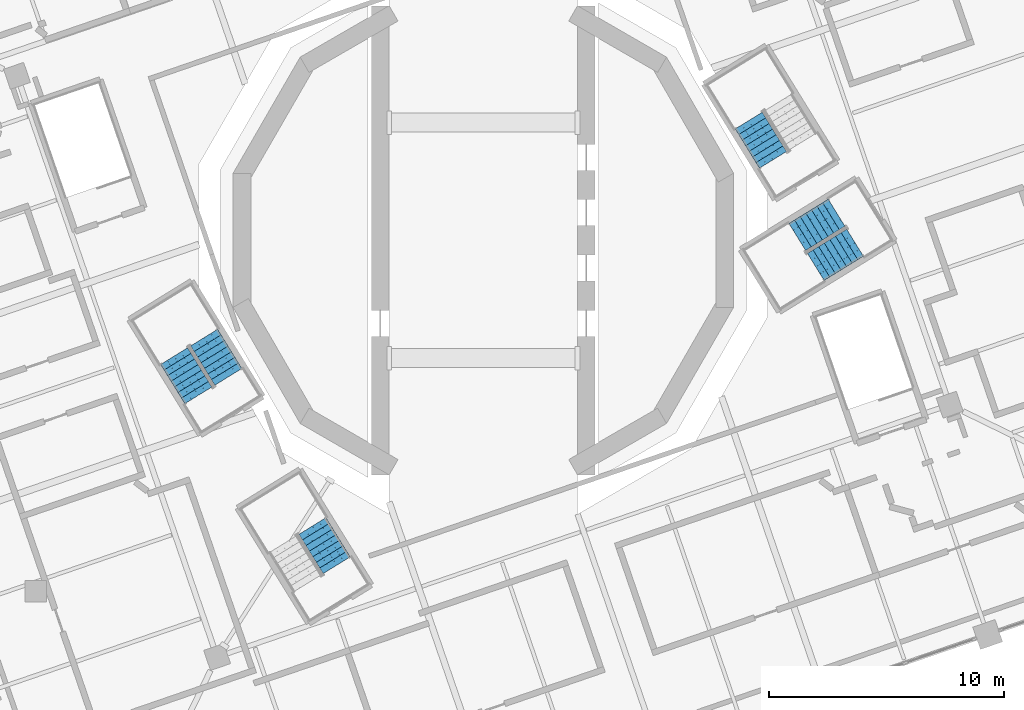
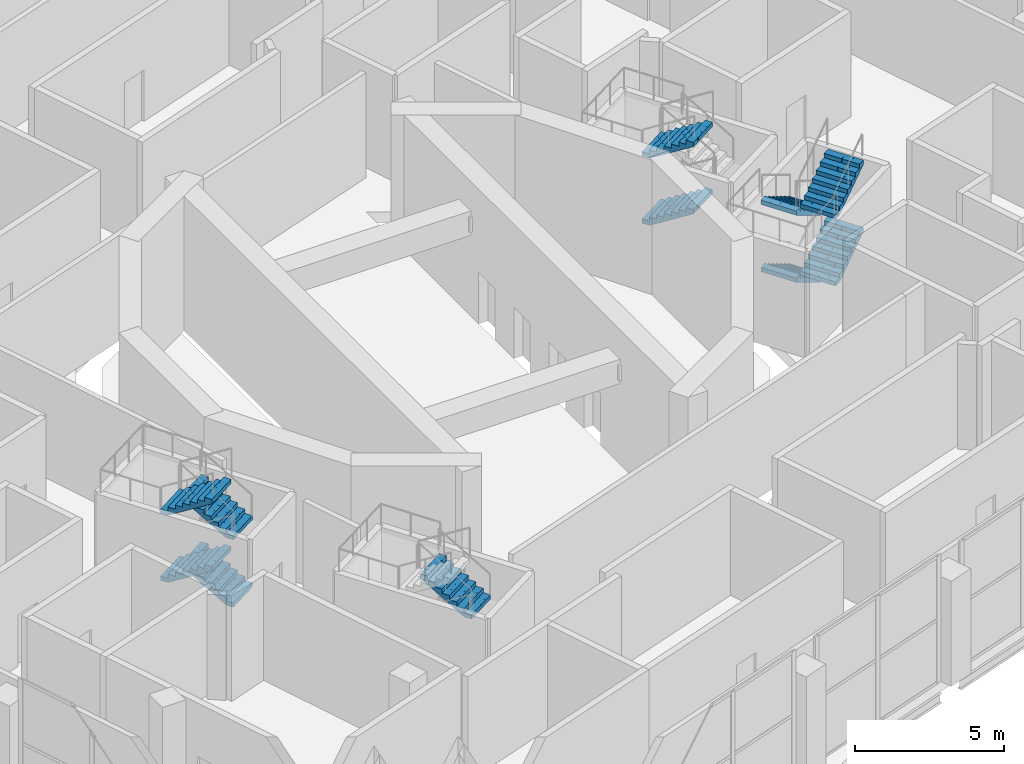
# One storey, part 15 of 20: 11 stair flights, 4 elements without a shape of their own.
"""IFC4 building model written with IfcOpenShell, lengths in metres."""

from ifc_helpers import new_model, si_unit, direction, frame, origin, place, context, subcontext, project, spatial, polyline, outline, extrude, material, type_object, element, aggregate, save


model = new_model("IFC4")

# Units and contexts
model_context = context("Model", 3, precision=1e-05, world=origin(), true_north=direction((0.0, 1.0)))
body_context = subcontext(model_context, "Body", "Model", "MODEL_VIEW")
ifc_project = project(units=[si_unit("LENGTHUNIT", "METRE"), si_unit("AREAUNIT", "SQUARE_METRE"), si_unit("VOLUMEUNIT", "CUBIC_METRE"), si_unit("PLANEANGLEUNIT", "RADIAN"), si_unit("MASSUNIT", "GRAM", prefix="KILO")], contexts=[model_context])

# Site, building, storey
site_placement = place(None, origin())
site = spatial("IfcSite", under=ifc_project, at=site_placement, CompositionType="ELEMENT")
building_placement = place(site_placement, origin())
building = spatial("IfcBuilding", under=site, at=building_placement, Name="Cantera Rosa Tower", CompositionType="ELEMENT")
storey_placement = place(building_placement, frame((0.0, 0.0, 142.10009765625)))
storey = spatial("IfcBuildingStorey", under=building, at=storey_placement, Name="L30", CompositionType="ELEMENT", Elevation=142.10009765625)

# Stair, stair flights
ifc_material_1 = material(Name="Concrete C35/45", Category="concrete")
stair_type = type_object("IfcStairType", Name="EXIT STAIR 1350 DOGLEG", PredefinedType="HALF_TURN_STAIR", material=ifc_material_1)
stair_1_placement = place(storey_placement, origin())
stair_1 = element("IfcStair", 1, at=stair_1_placement, inside=storey, type_object=stair_type, Name="L30 ST-31", PredefinedType="HALF_TURN_STAIR")
ifc_material_2 = material(Name="Concrete C35/45", Category="concrete")
stair_flight_type = type_object("IfcStairFlightType", Name="STAIR FLIGHT 1350 R32x172", PredefinedType="STRAIGHT", material=ifc_material_2)
stair_flight_1_placement = place(storey_placement, frame((11.267578125, 5.0830078125, 1.375), z_axis=(0.0, 0.0, 1.0), x_axis=(0.524976585286, -0.851116669383, 0.0)))
stair_flight_1 = element("IfcStairFlight", 2, at=stair_flight_1_placement, type_object=stair_flight_type, Name="ST-31 flight 2", NumberOfRisers=8, NumberOfTreads=7, PredefinedType="STRAIGHT", RiserHeight=0.171875, TreadLength=0.28, context=body_context, shape_type="SweptSolid", body=[
    extrude(outline(polyline([(0.0, 0.0), (0.0, 0.171875), (0.280029296875, 0.171875), (0.280029296875, 0.34375), (0.56005859375, 0.34375), (0.56005859375, 0.515625), (0.840087890625, 0.515625), (0.840087890625, 0.6875), (1.1201171875, 0.6875), (1.1201171875, 0.859375), (1.39990234375, 0.859375), (1.39990234375, 1.03125), (1.679931640625, 1.03125), (1.679931640625, 1.203125), (1.9599609375, 1.203125), (1.9599609375, 1.375), (1.9599609375, 1.02734375), (0.28662109375, 0.0), (0.0, 0.0)])), frame((0.0, 0.675048828125, 0.0), z_axis=(0.0, -1.0, 0.0), x_axis=(1.0, 0.0, 0.0)), (0.0, 0.0, 1.0), 0.3359375),
    extrude(outline(polyline([(0.0, 0.0), (0.0, 0.171875), (0.280029296875, 0.171875), (0.280029296875, 0.34375), (0.56005859375, 0.34375), (0.56005859375, 0.515625), (0.840087890625, 0.515625), (0.840087890625, 0.6875), (1.1201171875, 0.6875), (1.1201171875, 0.859375), (1.39990234375, 0.859375), (1.39990234375, 1.03125), (1.679931640625, 1.03125), (1.679931640625, 1.203125), (1.9599609375, 1.203125), (1.9599609375, 1.375), (1.9599609375, 1.02734375), (0.28662109375, 0.0), (0.0, 0.0)])), frame((0.0, 0.337158203125, 0.0), z_axis=(0.0, -1.0, 0.0), x_axis=(1.0, 0.0, 0.0)), (0.0, 0.0, 1.0), 0.3359375),
    extrude(outline(polyline([(0.0, 0.0), (0.0, 0.171875), (0.280029296875, 0.171875), (0.280029296875, 0.34375), (0.56005859375, 0.34375), (0.56005859375, 0.515625), (0.840087890625, 0.515625), (0.840087890625, 0.6875), (1.1201171875, 0.6875), (1.1201171875, 0.859375), (1.39990234375, 0.859375), (1.39990234375, 1.03125), (1.679931640625, 1.03125), (1.679931640625, 1.203125), (1.9599609375, 1.203125), (1.9599609375, 1.375), (1.9599609375, 1.02734375), (0.28662109375, 0.0), (0.0, 0.0)])), frame((0.0, -0.000732421875, 0.0), z_axis=(0.0, -1.0, 0.0), x_axis=(1.0, 0.0, 0.0)), (0.0, 0.0, 1.0), 0.3359375),
    extrude(outline(polyline([(0.0, 0.0), (0.0, 0.171875), (0.280029296875, 0.171875), (0.280029296875, 0.34375), (0.56005859375, 0.34375), (0.56005859375, 0.515625), (0.840087890625, 0.515625), (0.840087890625, 0.6875), (1.1201171875, 0.6875), (1.1201171875, 0.859375), (1.39990234375, 0.859375), (1.39990234375, 1.03125), (1.679931640625, 1.03125), (1.679931640625, 1.203125), (1.9599609375, 1.203125), (1.9599609375, 1.375), (1.9599609375, 1.02734375), (0.28662109375, 0.0), (0.0, 0.0)])), frame((0.0, -0.338623046875, 0.0), z_axis=(0.0, -1.0, 0.0), x_axis=(1.0, 0.0, 0.0)), (0.0, 0.0, 1.0), 0.3359375),
])
stair_flight_2_placement = place(storey_placement, frame((11.267578125, 5.0830078125, 4.125), z_axis=(0.0, 0.0, 1.0), x_axis=(0.524976585286, -0.851116669383, 0.0)))
stair_flight_2 = element("IfcStairFlight", 3, at=stair_flight_2_placement, type_object=stair_flight_type, Name="ST-31 flight 4", NumberOfRisers=8, NumberOfTreads=7, PredefinedType="STRAIGHT", RiserHeight=0.171875, TreadLength=0.28, context=body_context, shape_type="SweptSolid", body=[
    extrude(outline(polyline([(0.0, 0.0), (0.0, 0.171875), (0.280029296875, 0.171875), (0.280029296875, 0.34375), (0.56005859375, 0.34375), (0.56005859375, 0.515625), (0.840087890625, 0.515625), (0.840087890625, 0.6875), (1.1201171875, 0.6875), (1.1201171875, 0.859375), (1.39990234375, 0.859375), (1.39990234375, 1.03125), (1.679931640625, 1.03125), (1.679931640625, 1.203125), (1.9599609375, 1.203125), (1.9599609375, 1.375), (1.9599609375, 1.02734375), (0.28662109375, 0.0), (0.0, 0.0)])), frame((0.0, 0.675048828125, 0.0), z_axis=(0.0, -1.0, 0.0), x_axis=(1.0, 0.0, 0.0)), (0.0, 0.0, 1.0), 0.3359375),
    extrude(outline(polyline([(0.0, 0.0), (0.0, 0.171875), (0.280029296875, 0.171875), (0.280029296875, 0.34375), (0.56005859375, 0.34375), (0.56005859375, 0.515625), (0.840087890625, 0.515625), (0.840087890625, 0.6875), (1.1201171875, 0.6875), (1.1201171875, 0.859375), (1.39990234375, 0.859375), (1.39990234375, 1.03125), (1.679931640625, 1.03125), (1.679931640625, 1.203125), (1.9599609375, 1.203125), (1.9599609375, 1.375), (1.9599609375, 1.02734375), (0.28662109375, 0.0), (0.0, 0.0)])), frame((0.0, 0.337158203125, 0.0), z_axis=(0.0, -1.0, 0.0), x_axis=(1.0, 0.0, 0.0)), (0.0, 0.0, 1.0), 0.3359375),
    extrude(outline(polyline([(0.0, 0.0), (0.0, 0.171875), (0.280029296875, 0.171875), (0.280029296875, 0.34375), (0.56005859375, 0.34375), (0.56005859375, 0.515625), (0.840087890625, 0.515625), (0.840087890625, 0.6875), (1.1201171875, 0.6875), (1.1201171875, 0.859375), (1.39990234375, 0.859375), (1.39990234375, 1.03125), (1.679931640625, 1.03125), (1.679931640625, 1.203125), (1.9599609375, 1.203125), (1.9599609375, 1.375), (1.9599609375, 1.02734375), (0.28662109375, 0.0), (0.0, 0.0)])), frame((0.0, -0.000732421875, 0.0), z_axis=(0.0, -1.0, 0.0), x_axis=(1.0, 0.0, 0.0)), (0.0, 0.0, 1.0), 0.3359375),
    extrude(outline(polyline([(0.0, 0.0), (0.0, 0.171875), (0.280029296875, 0.171875), (0.280029296875, 0.34375), (0.56005859375, 0.34375), (0.56005859375, 0.515625), (0.840087890625, 0.515625), (0.840087890625, 0.6875), (1.1201171875, 0.6875), (1.1201171875, 0.859375), (1.39990234375, 0.859375), (1.39990234375, 1.03125), (1.679931640625, 1.03125), (1.679931640625, 1.203125), (1.9599609375, 1.203125), (1.9599609375, 1.375), (1.9599609375, 1.02734375), (0.28662109375, 0.0), (0.0, 0.0)])), frame((0.0, -0.338623046875, 0.0), z_axis=(0.0, -1.0, 0.0), x_axis=(1.0, 0.0, 0.0)), (0.0, 0.0, 1.0), 0.3359375),
])
aggregate(stair_1, [stair_flight_1, stair_flight_2])

stair_2_placement = place(storey_placement, origin())
stair_2 = element("IfcStair", 4, at=stair_2_placement, inside=storey, type_object=stair_type, Name="L30 ST-32", PredefinedType="HALF_TURN_STAIR")
stair_flight_3_placement = place(storey_placement, frame((-10.82666015625, -5.7978515625, 0.0), z_axis=(0.0, 0.0, 1.0), x_axis=(-0.524976585286, 0.851116669383, 0.0)))
stair_flight_3 = element("IfcStairFlight", 5, at=stair_flight_3_placement, type_object=stair_flight_type, Name="ST-32 flight 1", NumberOfRisers=8, NumberOfTreads=7, PredefinedType="STRAIGHT", RiserHeight=0.171875, TreadLength=0.28, context=body_context, shape_type="SweptSolid", body=[
    extrude(outline(polyline([(0.0, 0.0), (0.0, 0.171875), (0.280029296875, 0.171875), (0.280029296875, 0.34375), (0.56005859375, 0.34375), (0.56005859375, 0.515625), (0.840087890625, 0.515625), (0.840087890625, 0.6875), (1.1201171875, 0.6875), (1.1201171875, 0.859375), (1.39990234375, 0.859375), (1.39990234375, 1.03125), (1.679931640625, 1.03125), (1.679931640625, 1.203125), (1.9599609375, 1.203125), (1.9599609375, 1.375), (1.9599609375, 1.02734375), (0.28662109375, 0.0), (0.0, 0.0)])), frame((0.0, 0.675048828125, 0.0), z_axis=(0.0, -1.0, 0.0), x_axis=(1.0, 0.0, 0.0)), (0.0, 0.0, 1.0), 0.3359375),
    extrude(outline(polyline([(0.0, 0.0), (0.0, 0.171875), (0.280029296875, 0.171875), (0.280029296875, 0.34375), (0.56005859375, 0.34375), (0.56005859375, 0.515625), (0.840087890625, 0.515625), (0.840087890625, 0.6875), (1.1201171875, 0.6875), (1.1201171875, 0.859375), (1.39990234375, 0.859375), (1.39990234375, 1.03125), (1.679931640625, 1.03125), (1.679931640625, 1.203125), (1.9599609375, 1.203125), (1.9599609375, 1.375), (1.9599609375, 1.02734375), (0.28662109375, 0.0), (0.0, 0.0)])), frame((0.0, 0.337158203125, 0.0), z_axis=(0.0, -1.0, 0.0), x_axis=(1.0, 0.0, 0.0)), (0.0, 0.0, 1.0), 0.3359375),
    extrude(outline(polyline([(0.0, 0.0), (0.0, 0.171875), (0.280029296875, 0.171875), (0.280029296875, 0.34375), (0.56005859375, 0.34375), (0.56005859375, 0.515625), (0.840087890625, 0.515625), (0.840087890625, 0.6875), (1.1201171875, 0.6875), (1.1201171875, 0.859375), (1.39990234375, 0.859375), (1.39990234375, 1.03125), (1.679931640625, 1.03125), (1.679931640625, 1.203125), (1.9599609375, 1.203125), (1.9599609375, 1.375), (1.9599609375, 1.02734375), (0.28662109375, 0.0), (0.0, 0.0)])), frame((0.0, -0.000732421875, 0.0), z_axis=(0.0, -1.0, 0.0), x_axis=(1.0, 0.0, 0.0)), (0.0, 0.0, 1.0), 0.3359375),
    extrude(outline(polyline([(0.0, 0.0), (0.0, 0.171875), (0.280029296875, 0.171875), (0.280029296875, 0.34375), (0.56005859375, 0.34375), (0.56005859375, 0.515625), (0.840087890625, 0.515625), (0.840087890625, 0.6875), (1.1201171875, 0.6875), (1.1201171875, 0.859375), (1.39990234375, 0.859375), (1.39990234375, 1.03125), (1.679931640625, 1.03125), (1.679931640625, 1.203125), (1.9599609375, 1.203125), (1.9599609375, 1.375), (1.9599609375, 1.02734375), (0.28662109375, 0.0), (0.0, 0.0)])), frame((0.0, -0.338623046875, 0.0), z_axis=(0.0, -1.0, 0.0), x_axis=(1.0, 0.0, 0.0)), (0.0, 0.0, 1.0), 0.3359375),
])
stair_flight_4_placement = place(storey_placement, frame((-13.13232421875, -4.9169921875, 1.375), z_axis=(0.0, 0.0, 1.0), x_axis=(0.524976585286, -0.851116669383, 0.0)))
stair_flight_4 = element("IfcStairFlight", 6, at=stair_flight_4_placement, type_object=stair_flight_type, Name="ST-32 flight 2", NumberOfRisers=8, NumberOfTreads=7, PredefinedType="STRAIGHT", RiserHeight=0.171875, TreadLength=0.28, context=body_context, shape_type="SweptSolid", body=[
    extrude(outline(polyline([(0.0, 0.0), (0.0, 0.171875), (0.280029296875, 0.171875), (0.280029296875, 0.34375), (0.56005859375, 0.34375), (0.56005859375, 0.515625), (0.840087890625, 0.515625), (0.840087890625, 0.6875), (1.1201171875, 0.6875), (1.1201171875, 0.859375), (1.39990234375, 0.859375), (1.39990234375, 1.03125), (1.679931640625, 1.03125), (1.679931640625, 1.203125), (1.9599609375, 1.203125), (1.9599609375, 1.375), (1.9599609375, 1.02734375), (0.28662109375, 0.0), (0.0, 0.0)])), frame((0.0, 0.675048828125, 0.0), z_axis=(0.0, -1.0, 0.0), x_axis=(1.0, 0.0, 0.0)), (0.0, 0.0, 1.0), 0.3359375),
    extrude(outline(polyline([(0.0, 0.0), (0.0, 0.171875), (0.280029296875, 0.171875), (0.280029296875, 0.34375), (0.56005859375, 0.34375), (0.56005859375, 0.515625), (0.840087890625, 0.515625), (0.840087890625, 0.6875), (1.1201171875, 0.6875), (1.1201171875, 0.859375), (1.39990234375, 0.859375), (1.39990234375, 1.03125), (1.679931640625, 1.03125), (1.679931640625, 1.203125), (1.9599609375, 1.203125), (1.9599609375, 1.375), (1.9599609375, 1.02734375), (0.28662109375, 0.0), (0.0, 0.0)])), frame((0.0, 0.337158203125, 0.0), z_axis=(0.0, -1.0, 0.0), x_axis=(1.0, 0.0, 0.0)), (0.0, 0.0, 1.0), 0.3359375),
    extrude(outline(polyline([(0.0, 0.0), (0.0, 0.171875), (0.280029296875, 0.171875), (0.280029296875, 0.34375), (0.56005859375, 0.34375), (0.56005859375, 0.515625), (0.840087890625, 0.515625), (0.840087890625, 0.6875), (1.1201171875, 0.6875), (1.1201171875, 0.859375), (1.39990234375, 0.859375), (1.39990234375, 1.03125), (1.679931640625, 1.03125), (1.679931640625, 1.203125), (1.9599609375, 1.203125), (1.9599609375, 1.375), (1.9599609375, 1.02734375), (0.28662109375, 0.0), (0.0, 0.0)])), frame((0.0, -0.000732421875, 0.0), z_axis=(0.0, -1.0, 0.0), x_axis=(1.0, 0.0, 0.0)), (0.0, 0.0, 1.0), 0.3359375),
    extrude(outline(polyline([(0.0, 0.0), (0.0, 0.171875), (0.280029296875, 0.171875), (0.280029296875, 0.34375), (0.56005859375, 0.34375), (0.56005859375, 0.515625), (0.840087890625, 0.515625), (0.840087890625, 0.6875), (1.1201171875, 0.6875), (1.1201171875, 0.859375), (1.39990234375, 0.859375), (1.39990234375, 1.03125), (1.679931640625, 1.03125), (1.679931640625, 1.203125), (1.9599609375, 1.203125), (1.9599609375, 1.375), (1.9599609375, 1.02734375), (0.28662109375, 0.0), (0.0, 0.0)])), frame((0.0, -0.338623046875, 0.0), z_axis=(0.0, -1.0, 0.0), x_axis=(1.0, 0.0, 0.0)), (0.0, 0.0, 1.0), 0.3359375),
])
stair_flight_5_placement = place(storey_placement, frame((-10.82666015625, -5.7978515625, 2.75), z_axis=(0.0, 0.0, 1.0), x_axis=(-0.524976585286, 0.851116669383, 0.0)))
stair_flight_5 = element("IfcStairFlight", 7, at=stair_flight_5_placement, type_object=stair_flight_type, Name="ST-32 flight 3", NumberOfRisers=8, NumberOfTreads=7, PredefinedType="STRAIGHT", RiserHeight=0.171875, TreadLength=0.28, context=body_context, shape_type="SweptSolid", body=[
    extrude(outline(polyline([(0.0, 0.0), (0.0, 0.171875), (0.280029296875, 0.171875), (0.280029296875, 0.34375), (0.56005859375, 0.34375), (0.56005859375, 0.515625), (0.840087890625, 0.515625), (0.840087890625, 0.6875), (1.1201171875, 0.6875), (1.1201171875, 0.859375), (1.39990234375, 0.859375), (1.39990234375, 1.03125), (1.679931640625, 1.03125), (1.679931640625, 1.203125), (1.9599609375, 1.203125), (1.9599609375, 1.375), (1.9599609375, 1.02734375), (0.28662109375, 0.0), (0.0, 0.0)])), frame((0.0, 0.675048828125, 0.0), z_axis=(0.0, -1.0, 0.0), x_axis=(1.0, 0.0, 0.0)), (0.0, 0.0, 1.0), 0.3359375),
    extrude(outline(polyline([(0.0, 0.0), (0.0, 0.171875), (0.280029296875, 0.171875), (0.280029296875, 0.34375), (0.56005859375, 0.34375), (0.56005859375, 0.515625), (0.840087890625, 0.515625), (0.840087890625, 0.6875), (1.1201171875, 0.6875), (1.1201171875, 0.859375), (1.39990234375, 0.859375), (1.39990234375, 1.03125), (1.679931640625, 1.03125), (1.679931640625, 1.203125), (1.9599609375, 1.203125), (1.9599609375, 1.375), (1.9599609375, 1.02734375), (0.28662109375, 0.0), (0.0, 0.0)])), frame((0.0, 0.337158203125, 0.0), z_axis=(0.0, -1.0, 0.0), x_axis=(1.0, 0.0, 0.0)), (0.0, 0.0, 1.0), 0.3359375),
    extrude(outline(polyline([(0.0, 0.0), (0.0, 0.171875), (0.280029296875, 0.171875), (0.280029296875, 0.34375), (0.56005859375, 0.34375), (0.56005859375, 0.515625), (0.840087890625, 0.515625), (0.840087890625, 0.6875), (1.1201171875, 0.6875), (1.1201171875, 0.859375), (1.39990234375, 0.859375), (1.39990234375, 1.03125), (1.679931640625, 1.03125), (1.679931640625, 1.203125), (1.9599609375, 1.203125), (1.9599609375, 1.375), (1.9599609375, 1.02734375), (0.28662109375, 0.0), (0.0, 0.0)])), frame((0.0, -0.000732421875, 0.0), z_axis=(0.0, -1.0, 0.0), x_axis=(1.0, 0.0, 0.0)), (0.0, 0.0, 1.0), 0.3359375),
    extrude(outline(polyline([(0.0, 0.0), (0.0, 0.171875), (0.280029296875, 0.171875), (0.280029296875, 0.34375), (0.56005859375, 0.34375), (0.56005859375, 0.515625), (0.840087890625, 0.515625), (0.840087890625, 0.6875), (1.1201171875, 0.6875), (1.1201171875, 0.859375), (1.39990234375, 0.859375), (1.39990234375, 1.03125), (1.679931640625, 1.03125), (1.679931640625, 1.203125), (1.9599609375, 1.203125), (1.9599609375, 1.375), (1.9599609375, 1.02734375), (0.28662109375, 0.0), (0.0, 0.0)])), frame((0.0, -0.338623046875, 0.0), z_axis=(0.0, -1.0, 0.0), x_axis=(1.0, 0.0, 0.0)), (0.0, 0.0, 1.0), 0.3359375),
])
stair_flight_6_placement = place(storey_placement, frame((-13.13232421875, -4.9169921875, 4.125), z_axis=(0.0, 0.0, 1.0), x_axis=(0.524976585286, -0.851116669383, 0.0)))
stair_flight_6 = element("IfcStairFlight", 8, at=stair_flight_6_placement, type_object=stair_flight_type, Name="ST-32 flight 4", NumberOfRisers=8, NumberOfTreads=7, PredefinedType="STRAIGHT", RiserHeight=0.171875, TreadLength=0.28, context=body_context, shape_type="SweptSolid", body=[
    extrude(outline(polyline([(0.0, 0.0), (0.0, 0.171875), (0.280029296875, 0.171875), (0.280029296875, 0.34375), (0.56005859375, 0.34375), (0.56005859375, 0.515625), (0.840087890625, 0.515625), (0.840087890625, 0.6875), (1.1201171875, 0.6875), (1.1201171875, 0.859375), (1.39990234375, 0.859375), (1.39990234375, 1.03125), (1.679931640625, 1.03125), (1.679931640625, 1.203125), (1.9599609375, 1.203125), (1.9599609375, 1.375), (1.9599609375, 1.02734375), (0.28662109375, 0.0), (0.0, 0.0)])), frame((0.0, 0.675048828125, 0.0), z_axis=(0.0, -1.0, 0.0), x_axis=(1.0, 0.0, 0.0)), (0.0, 0.0, 1.0), 0.3359375),
    extrude(outline(polyline([(0.0, 0.0), (0.0, 0.171875), (0.280029296875, 0.171875), (0.280029296875, 0.34375), (0.56005859375, 0.34375), (0.56005859375, 0.515625), (0.840087890625, 0.515625), (0.840087890625, 0.6875), (1.1201171875, 0.6875), (1.1201171875, 0.859375), (1.39990234375, 0.859375), (1.39990234375, 1.03125), (1.679931640625, 1.03125), (1.679931640625, 1.203125), (1.9599609375, 1.203125), (1.9599609375, 1.375), (1.9599609375, 1.02734375), (0.28662109375, 0.0), (0.0, 0.0)])), frame((0.0, 0.337158203125, 0.0), z_axis=(0.0, -1.0, 0.0), x_axis=(1.0, 0.0, 0.0)), (0.0, 0.0, 1.0), 0.3359375),
    extrude(outline(polyline([(0.0, 0.0), (0.0, 0.171875), (0.280029296875, 0.171875), (0.280029296875, 0.34375), (0.56005859375, 0.34375), (0.56005859375, 0.515625), (0.840087890625, 0.515625), (0.840087890625, 0.6875), (1.1201171875, 0.6875), (1.1201171875, 0.859375), (1.39990234375, 0.859375), (1.39990234375, 1.03125), (1.679931640625, 1.03125), (1.679931640625, 1.203125), (1.9599609375, 1.203125), (1.9599609375, 1.375), (1.9599609375, 1.02734375), (0.28662109375, 0.0), (0.0, 0.0)])), frame((0.0, -0.000732421875, 0.0), z_axis=(0.0, -1.0, 0.0), x_axis=(1.0, 0.0, 0.0)), (0.0, 0.0, 1.0), 0.3359375),
    extrude(outline(polyline([(0.0, 0.0), (0.0, 0.171875), (0.280029296875, 0.171875), (0.280029296875, 0.34375), (0.56005859375, 0.34375), (0.56005859375, 0.515625), (0.840087890625, 0.515625), (0.840087890625, 0.6875), (1.1201171875, 0.6875), (1.1201171875, 0.859375), (1.39990234375, 0.859375), (1.39990234375, 1.03125), (1.679931640625, 1.03125), (1.679931640625, 1.203125), (1.9599609375, 1.203125), (1.9599609375, 1.375), (1.9599609375, 1.02734375), (0.28662109375, 0.0), (0.0, 0.0)])), frame((0.0, -0.338623046875, 0.0), z_axis=(0.0, -1.0, 0.0), x_axis=(1.0, 0.0, 0.0)), (0.0, 0.0, 1.0), 0.3359375),
])
aggregate(stair_2, [stair_flight_3, stair_flight_4, stair_flight_5, stair_flight_6])

# Stair, stair flight
stair_3_placement = place(storey_placement, origin())
stair_3 = element("IfcStair", 9, at=stair_3_placement, inside=storey, type_object=stair_type, Name="L30 ST-33", PredefinedType="HALF_TURN_STAIR")
stair_flight_7_placement = place(storey_placement, frame((-6.226806640625, -13.7978515625, 2.75), z_axis=(0.0, 0.0, 1.0), x_axis=(-0.524976585286, 0.851116669383, 0.0)))
stair_flight_7 = element("IfcStairFlight", 10, at=stair_flight_7_placement, type_object=stair_flight_type, Name="ST-33 flight 3", NumberOfRisers=8, NumberOfTreads=7, PredefinedType="STRAIGHT", RiserHeight=0.171875, TreadLength=0.28, context=body_context, shape_type="SweptSolid", body=[
    extrude(outline(polyline([(0.0, 0.0), (0.0, 0.171875), (0.280029296875, 0.171875), (0.280029296875, 0.34375), (0.56005859375, 0.34375), (0.56005859375, 0.515625), (0.840087890625, 0.515625), (0.840087890625, 0.6875), (1.1201171875, 0.6875), (1.1201171875, 0.859375), (1.39990234375, 0.859375), (1.39990234375, 1.03125), (1.679931640625, 1.03125), (1.679931640625, 1.203125), (1.9599609375, 1.203125), (1.9599609375, 1.375), (1.9599609375, 1.02734375), (0.28662109375, 0.0), (0.0, 0.0)])), frame((0.0, 0.675048828125, 0.0), z_axis=(0.0, -1.0, 0.0), x_axis=(1.0, 0.0, 0.0)), (0.0, 0.0, 1.0), 0.3359375),
    extrude(outline(polyline([(0.0, 0.0), (0.0, 0.171875), (0.280029296875, 0.171875), (0.280029296875, 0.34375), (0.56005859375, 0.34375), (0.56005859375, 0.515625), (0.840087890625, 0.515625), (0.840087890625, 0.6875), (1.1201171875, 0.6875), (1.1201171875, 0.859375), (1.39990234375, 0.859375), (1.39990234375, 1.03125), (1.679931640625, 1.03125), (1.679931640625, 1.203125), (1.9599609375, 1.203125), (1.9599609375, 1.375), (1.9599609375, 1.02734375), (0.28662109375, 0.0), (0.0, 0.0)])), frame((0.0, 0.337158203125, 0.0), z_axis=(0.0, -1.0, 0.0), x_axis=(1.0, 0.0, 0.0)), (0.0, 0.0, 1.0), 0.3359375),
    extrude(outline(polyline([(0.0, 0.0), (0.0, 0.171875), (0.280029296875, 0.171875), (0.280029296875, 0.34375), (0.56005859375, 0.34375), (0.56005859375, 0.515625), (0.840087890625, 0.515625), (0.840087890625, 0.6875), (1.1201171875, 0.6875), (1.1201171875, 0.859375), (1.39990234375, 0.859375), (1.39990234375, 1.03125), (1.679931640625, 1.03125), (1.679931640625, 1.203125), (1.9599609375, 1.203125), (1.9599609375, 1.375), (1.9599609375, 1.02734375), (0.28662109375, 0.0), (0.0, 0.0)])), frame((0.0, -0.000732421875, 0.0), z_axis=(0.0, -1.0, 0.0), x_axis=(1.0, 0.0, 0.0)), (0.0, 0.0, 1.0), 0.3359375),
    extrude(outline(polyline([(0.0, 0.0), (0.0, 0.171875), (0.280029296875, 0.171875), (0.280029296875, 0.34375), (0.56005859375, 0.34375), (0.56005859375, 0.515625), (0.840087890625, 0.515625), (0.840087890625, 0.6875), (1.1201171875, 0.6875), (1.1201171875, 0.859375), (1.39990234375, 0.859375), (1.39990234375, 1.03125), (1.679931640625, 1.03125), (1.679931640625, 1.203125), (1.9599609375, 1.203125), (1.9599609375, 1.375), (1.9599609375, 1.02734375), (0.28662109375, 0.0), (0.0, 0.0)])), frame((0.0, -0.338623046875, 0.0), z_axis=(0.0, -1.0, 0.0), x_axis=(1.0, 0.0, 0.0)), (0.0, 0.0, 1.0), 0.3359375),
])
aggregate(stair_3, [stair_flight_7])

# Stair, stair flights
stair_4_placement = place(storey_placement, origin())
stair_4 = element("IfcStair", 11, at=stair_4_placement, inside=storey, type_object=stair_type, Name="L30 ST-34", PredefinedType="HALF_TURN_STAIR")
stair_flight_8_placement = place(storey_placement, frame((14.997802734375, 1.17333984375, 0.0), z_axis=(0.0, 0.0, 1.0), x_axis=(-0.851116669383, -0.524976585286, 0.0)))
stair_flight_8 = element("IfcStairFlight", 12, at=stair_flight_8_placement, type_object=stair_flight_type, Name="ST-34 flight 1", NumberOfRisers=8, NumberOfTreads=7, PredefinedType="STRAIGHT", RiserHeight=0.171875, TreadLength=0.28, context=body_context, shape_type="SweptSolid", body=[
    extrude(outline(polyline([(0.0, 0.0), (0.0, 0.171875), (0.280029296875, 0.171875), (0.280029296875, 0.34375), (0.56005859375, 0.34375), (0.56005859375, 0.515625), (0.840087890625, 0.515625), (0.840087890625, 0.6875), (1.1201171875, 0.6875), (1.1201171875, 0.859375), (1.39990234375, 0.859375), (1.39990234375, 1.03125), (1.679931640625, 1.03125), (1.679931640625, 1.203125), (1.9599609375, 1.203125), (1.9599609375, 1.375), (1.9599609375, 1.02734375), (0.28662109375, 0.0), (0.0, 0.0)])), frame((0.0, 0.675048828125, 0.0), z_axis=(0.0, -1.0, 0.0), x_axis=(1.0, 0.0, 0.0)), (0.0, 0.0, 1.0), 0.3359375),
    extrude(outline(polyline([(0.0, 0.0), (0.0, 0.171875), (0.280029296875, 0.171875), (0.280029296875, 0.34375), (0.56005859375, 0.34375), (0.56005859375, 0.515625), (0.840087890625, 0.515625), (0.840087890625, 0.6875), (1.1201171875, 0.6875), (1.1201171875, 0.859375), (1.39990234375, 0.859375), (1.39990234375, 1.03125), (1.679931640625, 1.03125), (1.679931640625, 1.203125), (1.9599609375, 1.203125), (1.9599609375, 1.375), (1.9599609375, 1.02734375), (0.28662109375, 0.0), (0.0, 0.0)])), frame((0.0, 0.337158203125, 0.0), z_axis=(0.0, -1.0, 0.0), x_axis=(1.0, 0.0, 0.0)), (0.0, 0.0, 1.0), 0.3359375),
    extrude(outline(polyline([(0.0, 0.0), (0.0, 0.171875), (0.280029296875, 0.171875), (0.280029296875, 0.34375), (0.56005859375, 0.34375), (0.56005859375, 0.515625), (0.840087890625, 0.515625), (0.840087890625, 0.6875), (1.1201171875, 0.6875), (1.1201171875, 0.859375), (1.39990234375, 0.859375), (1.39990234375, 1.03125), (1.679931640625, 1.03125), (1.679931640625, 1.203125), (1.9599609375, 1.203125), (1.9599609375, 1.375), (1.9599609375, 1.02734375), (0.28662109375, 0.0), (0.0, 0.0)])), frame((0.0, -0.000732421875, 0.0), z_axis=(0.0, -1.0, 0.0), x_axis=(1.0, 0.0, 0.0)), (0.0, 0.0, 1.0), 0.3359375),
    extrude(outline(polyline([(0.0, 0.0), (0.0, 0.171875), (0.280029296875, 0.171875), (0.280029296875, 0.34375), (0.56005859375, 0.34375), (0.56005859375, 0.515625), (0.840087890625, 0.515625), (0.840087890625, 0.6875), (1.1201171875, 0.6875), (1.1201171875, 0.859375), (1.39990234375, 0.859375), (1.39990234375, 1.03125), (1.679931640625, 1.03125), (1.679931640625, 1.203125), (1.9599609375, 1.203125), (1.9599609375, 1.375), (1.9599609375, 1.02734375), (0.28662109375, 0.0), (0.0, 0.0)])), frame((0.0, -0.338623046875, 0.0), z_axis=(0.0, -1.0, 0.0), x_axis=(1.0, 0.0, 0.0)), (0.0, 0.0, 1.0), 0.3359375),
])
stair_flight_9_placement = place(storey_placement, frame((14.1171875, -1.13232421875, 1.375), z_axis=(0.0, 0.0, 1.0), x_axis=(0.851116669383, 0.524976585286, 0.0)))
stair_flight_9 = element("IfcStairFlight", 13, at=stair_flight_9_placement, type_object=stair_flight_type, Name="ST-34 flight 2", NumberOfRisers=8, NumberOfTreads=7, PredefinedType="STRAIGHT", RiserHeight=0.171875, TreadLength=0.28, context=body_context, shape_type="SweptSolid", body=[
    extrude(outline(polyline([(0.0, 0.0), (0.0, 0.171875), (0.280029296875, 0.171875), (0.280029296875, 0.34375), (0.56005859375, 0.34375), (0.56005859375, 0.515625), (0.840087890625, 0.515625), (0.840087890625, 0.6875), (1.1201171875, 0.6875), (1.1201171875, 0.859375), (1.39990234375, 0.859375), (1.39990234375, 1.03125), (1.679931640625, 1.03125), (1.679931640625, 1.203125), (1.9599609375, 1.203125), (1.9599609375, 1.375), (1.9599609375, 1.02734375), (0.28662109375, 0.0), (0.0, 0.0)])), frame((0.0, 0.675048828125, 0.0), z_axis=(0.0, -1.0, 0.0), x_axis=(1.0, 0.0, 0.0)), (0.0, 0.0, 1.0), 0.3359375),
    extrude(outline(polyline([(0.0, 0.0), (0.0, 0.171875), (0.280029296875, 0.171875), (0.280029296875, 0.34375), (0.56005859375, 0.34375), (0.56005859375, 0.515625), (0.840087890625, 0.515625), (0.840087890625, 0.6875), (1.1201171875, 0.6875), (1.1201171875, 0.859375), (1.39990234375, 0.859375), (1.39990234375, 1.03125), (1.679931640625, 1.03125), (1.679931640625, 1.203125), (1.9599609375, 1.203125), (1.9599609375, 1.375), (1.9599609375, 1.02734375), (0.28662109375, 0.0), (0.0, 0.0)])), frame((0.0, 0.337158203125, 0.0), z_axis=(0.0, -1.0, 0.0), x_axis=(1.0, 0.0, 0.0)), (0.0, 0.0, 1.0), 0.3359375),
    extrude(outline(polyline([(0.0, 0.0), (0.0, 0.171875), (0.280029296875, 0.171875), (0.280029296875, 0.34375), (0.56005859375, 0.34375), (0.56005859375, 0.515625), (0.840087890625, 0.515625), (0.840087890625, 0.6875), (1.1201171875, 0.6875), (1.1201171875, 0.859375), (1.39990234375, 0.859375), (1.39990234375, 1.03125), (1.679931640625, 1.03125), (1.679931640625, 1.203125), (1.9599609375, 1.203125), (1.9599609375, 1.375), (1.9599609375, 1.02734375), (0.28662109375, 0.0), (0.0, 0.0)])), frame((0.0, -0.000732421875, 0.0), z_axis=(0.0, -1.0, 0.0), x_axis=(1.0, 0.0, 0.0)), (0.0, 0.0, 1.0), 0.3359375),
    extrude(outline(polyline([(0.0, 0.0), (0.0, 0.171875), (0.280029296875, 0.171875), (0.280029296875, 0.34375), (0.56005859375, 0.34375), (0.56005859375, 0.515625), (0.840087890625, 0.515625), (0.840087890625, 0.6875), (1.1201171875, 0.6875), (1.1201171875, 0.859375), (1.39990234375, 0.859375), (1.39990234375, 1.03125), (1.679931640625, 1.03125), (1.679931640625, 1.203125), (1.9599609375, 1.203125), (1.9599609375, 1.375), (1.9599609375, 1.02734375), (0.28662109375, 0.0), (0.0, 0.0)])), frame((0.0, -0.338623046875, 0.0), z_axis=(0.0, -1.0, 0.0), x_axis=(1.0, 0.0, 0.0)), (0.0, 0.0, 1.0), 0.3359375),
])
stair_flight_10_placement = place(storey_placement, frame((14.997802734375, 1.17333984375, 2.75), z_axis=(0.0, 0.0, 1.0), x_axis=(-0.851116669383, -0.524976585286, 0.0)))
stair_flight_10 = element("IfcStairFlight", 14, at=stair_flight_10_placement, type_object=stair_flight_type, Name="ST-34 flight 3", NumberOfRisers=8, NumberOfTreads=7, PredefinedType="STRAIGHT", RiserHeight=0.171875, TreadLength=0.28, context=body_context, shape_type="SweptSolid", body=[
    extrude(outline(polyline([(0.0, 0.0), (0.0, 0.171875), (0.280029296875, 0.171875), (0.280029296875, 0.34375), (0.56005859375, 0.34375), (0.56005859375, 0.515625), (0.840087890625, 0.515625), (0.840087890625, 0.6875), (1.1201171875, 0.6875), (1.1201171875, 0.859375), (1.39990234375, 0.859375), (1.39990234375, 1.03125), (1.679931640625, 1.03125), (1.679931640625, 1.203125), (1.9599609375, 1.203125), (1.9599609375, 1.375), (1.9599609375, 1.02734375), (0.28662109375, 0.0), (0.0, 0.0)])), frame((0.0, 0.675048828125, 0.0), z_axis=(0.0, -1.0, 0.0), x_axis=(1.0, 0.0, 0.0)), (0.0, 0.0, 1.0), 0.3359375),
    extrude(outline(polyline([(0.0, 0.0), (0.0, 0.171875), (0.280029296875, 0.171875), (0.280029296875, 0.34375), (0.56005859375, 0.34375), (0.56005859375, 0.515625), (0.840087890625, 0.515625), (0.840087890625, 0.6875), (1.1201171875, 0.6875), (1.1201171875, 0.859375), (1.39990234375, 0.859375), (1.39990234375, 1.03125), (1.679931640625, 1.03125), (1.679931640625, 1.203125), (1.9599609375, 1.203125), (1.9599609375, 1.375), (1.9599609375, 1.02734375), (0.28662109375, 0.0), (0.0, 0.0)])), frame((0.0, 0.337158203125, 0.0), z_axis=(0.0, -1.0, 0.0), x_axis=(1.0, 0.0, 0.0)), (0.0, 0.0, 1.0), 0.3359375),
    extrude(outline(polyline([(0.0, 0.0), (0.0, 0.171875), (0.280029296875, 0.171875), (0.280029296875, 0.34375), (0.56005859375, 0.34375), (0.56005859375, 0.515625), (0.840087890625, 0.515625), (0.840087890625, 0.6875), (1.1201171875, 0.6875), (1.1201171875, 0.859375), (1.39990234375, 0.859375), (1.39990234375, 1.03125), (1.679931640625, 1.03125), (1.679931640625, 1.203125), (1.9599609375, 1.203125), (1.9599609375, 1.375), (1.9599609375, 1.02734375), (0.28662109375, 0.0), (0.0, 0.0)])), frame((0.0, -0.000732421875, 0.0), z_axis=(0.0, -1.0, 0.0), x_axis=(1.0, 0.0, 0.0)), (0.0, 0.0, 1.0), 0.3359375),
    extrude(outline(polyline([(0.0, 0.0), (0.0, 0.171875), (0.280029296875, 0.171875), (0.280029296875, 0.34375), (0.56005859375, 0.34375), (0.56005859375, 0.515625), (0.840087890625, 0.515625), (0.840087890625, 0.6875), (1.1201171875, 0.6875), (1.1201171875, 0.859375), (1.39990234375, 0.859375), (1.39990234375, 1.03125), (1.679931640625, 1.03125), (1.679931640625, 1.203125), (1.9599609375, 1.203125), (1.9599609375, 1.375), (1.9599609375, 1.02734375), (0.28662109375, 0.0), (0.0, 0.0)])), frame((0.0, -0.338623046875, 0.0), z_axis=(0.0, -1.0, 0.0), x_axis=(1.0, 0.0, 0.0)), (0.0, 0.0, 1.0), 0.3359375),
])
stair_flight_11_placement = place(storey_placement, frame((14.1171875, -1.13232421875, 4.125), z_axis=(0.0, 0.0, 1.0), x_axis=(0.851116669383, 0.524976585286, 0.0)))
stair_flight_11 = element("IfcStairFlight", 15, at=stair_flight_11_placement, type_object=stair_flight_type, Name="ST-34 flight 4", NumberOfRisers=8, NumberOfTreads=7, PredefinedType="STRAIGHT", RiserHeight=0.171875, TreadLength=0.28, context=body_context, shape_type="SweptSolid", body=[
    extrude(outline(polyline([(0.0, 0.0), (0.0, 0.171875), (0.280029296875, 0.171875), (0.280029296875, 0.34375), (0.56005859375, 0.34375), (0.56005859375, 0.515625), (0.840087890625, 0.515625), (0.840087890625, 0.6875), (1.1201171875, 0.6875), (1.1201171875, 0.859375), (1.39990234375, 0.859375), (1.39990234375, 1.03125), (1.679931640625, 1.03125), (1.679931640625, 1.203125), (1.9599609375, 1.203125), (1.9599609375, 1.375), (1.9599609375, 1.02734375), (0.28662109375, 0.0), (0.0, 0.0)])), frame((0.0, 0.675048828125, 0.0), z_axis=(0.0, -1.0, 0.0), x_axis=(1.0, 0.0, 0.0)), (0.0, 0.0, 1.0), 0.3359375),
    extrude(outline(polyline([(0.0, 0.0), (0.0, 0.171875), (0.280029296875, 0.171875), (0.280029296875, 0.34375), (0.56005859375, 0.34375), (0.56005859375, 0.515625), (0.840087890625, 0.515625), (0.840087890625, 0.6875), (1.1201171875, 0.6875), (1.1201171875, 0.859375), (1.39990234375, 0.859375), (1.39990234375, 1.03125), (1.679931640625, 1.03125), (1.679931640625, 1.203125), (1.9599609375, 1.203125), (1.9599609375, 1.375), (1.9599609375, 1.02734375), (0.28662109375, 0.0), (0.0, 0.0)])), frame((0.0, 0.337158203125, 0.0), z_axis=(0.0, -1.0, 0.0), x_axis=(1.0, 0.0, 0.0)), (0.0, 0.0, 1.0), 0.3359375),
    extrude(outline(polyline([(0.0, 0.0), (0.0, 0.171875), (0.280029296875, 0.171875), (0.280029296875, 0.34375), (0.56005859375, 0.34375), (0.56005859375, 0.515625), (0.840087890625, 0.515625), (0.840087890625, 0.6875), (1.1201171875, 0.6875), (1.1201171875, 0.859375), (1.39990234375, 0.859375), (1.39990234375, 1.03125), (1.679931640625, 1.03125), (1.679931640625, 1.203125), (1.9599609375, 1.203125), (1.9599609375, 1.375), (1.9599609375, 1.02734375), (0.28662109375, 0.0), (0.0, 0.0)])), frame((0.0, -0.000732421875, 0.0), z_axis=(0.0, -1.0, 0.0), x_axis=(1.0, 0.0, 0.0)), (0.0, 0.0, 1.0), 0.3359375),
    extrude(outline(polyline([(0.0, 0.0), (0.0, 0.171875), (0.280029296875, 0.171875), (0.280029296875, 0.34375), (0.56005859375, 0.34375), (0.56005859375, 0.515625), (0.840087890625, 0.515625), (0.840087890625, 0.6875), (1.1201171875, 0.6875), (1.1201171875, 0.859375), (1.39990234375, 0.859375), (1.39990234375, 1.03125), (1.679931640625, 1.03125), (1.679931640625, 1.203125), (1.9599609375, 1.203125), (1.9599609375, 1.375), (1.9599609375, 1.02734375), (0.28662109375, 0.0), (0.0, 0.0)])), frame((0.0, -0.338623046875, 0.0), z_axis=(0.0, -1.0, 0.0), x_axis=(1.0, 0.0, 0.0)), (0.0, 0.0, 1.0), 0.3359375),
])
aggregate(stair_4, [stair_flight_8, stair_flight_9, stair_flight_10, stair_flight_11])

save(model, "model.ifc")
